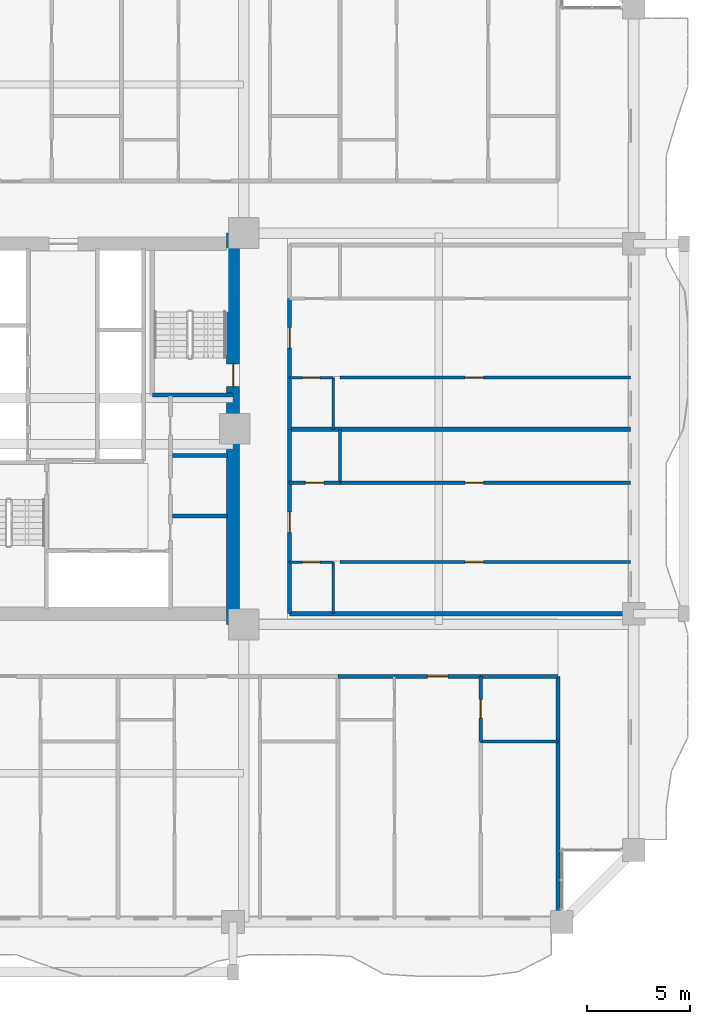
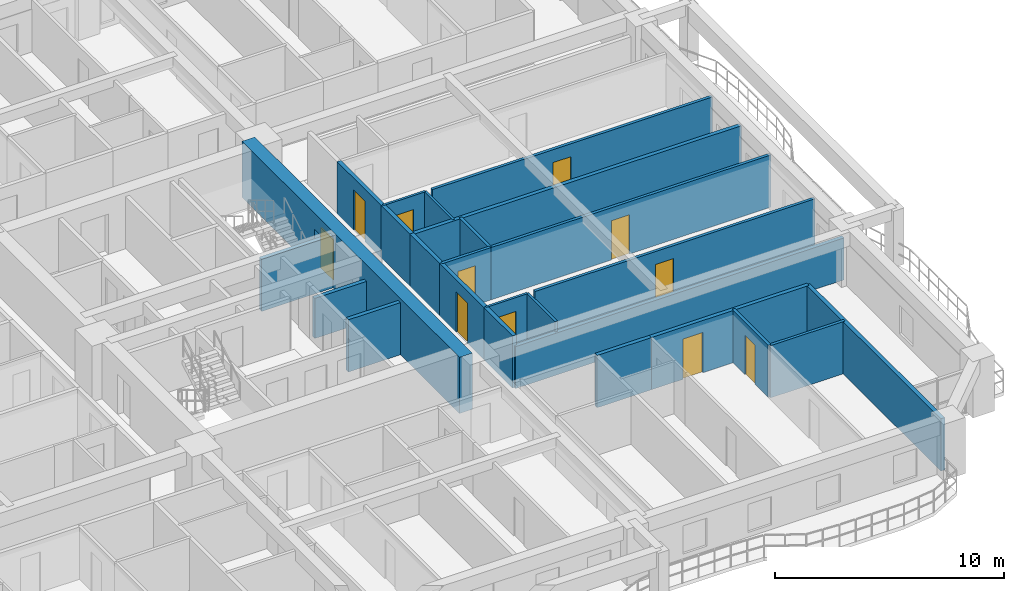
# One storey, part 17 of 27: 26 walls, 11 doors, 11 openings.
"""IFC4 building model written with IfcOpenShell, lengths in metres."""

from ifc_helpers import new_model, si_unit, direction, frame, frame_2d, origin, place, context, subcontext, project, spatial, rectangle, extrude, source, transform, mapped, material, layer, layer_set, type_object, element, fill, save


model = new_model("IFC4")

# Units and contexts
model_context = context("Model", 3, precision=1e-05, world=origin(), true_north=direction((0.0, 1.0)))
body_context = subcontext(model_context, "Body", "Model", "MODEL_VIEW")
ifc_project = project(units=[si_unit("LENGTHUNIT", "METRE"), si_unit("AREAUNIT", "SQUARE_METRE"), si_unit("VOLUMEUNIT", "CUBIC_METRE"), si_unit("PLANEANGLEUNIT", "RADIAN"), si_unit("MASSUNIT", "GRAM", prefix="KILO")], contexts=[model_context])

# Site, building, storey
site_placement = place(None, origin())
site = spatial("IfcSite", under=ifc_project, at=site_placement, CompositionType="ELEMENT")
building_placement = place(site_placement, origin())
building = spatial("IfcBuilding", under=site, at=building_placement, Name="Saelheon Loggia Tower", CompositionType="ELEMENT")
storey_placement = place(building_placement, frame((0.0, 0.0, 34.39990234375)))
storey = spatial("IfcBuildingStorey", under=building, at=storey_placement, Name="L10", CompositionType="ELEMENT", Elevation=34.39990234375)

# Wall, opening, door
ifc_material_1 = material(Name="Concrete C60/75", Category="concrete")
ifc_layer_1 = layer(ifc_material_1, 0.64990234375)
ifc_layer_set_1 = layer_set([ifc_layer_1], Name="Concrete C60/75")
wall_type_1 = type_object("IfcWallType", Name="Wall_CoreShear_650", PredefinedType="SHEAR", material=ifc_layer_set_1)
wall_1_placement = place(storey_placement, frame((44.5, 17.47998046875, 0.0), z_axis=(0.0, 0.0, 1.0), x_axis=(0.0, 1.0, 0.0)))
wall_1 = element("IfcWall", 1, at=wall_1_placement, inside=storey, type_object=wall_type_1, Name="L10 Core Shear Wall East", PredefinedType="SHEAR", context=body_context, shape_type="SweptSolid", body=[
    extrude(rectangle(XDim=19.0400390625, YDim=0.64990234375, at=frame_2d((9.52001953125, 0.0))), origin(), (0.0, 0.0, 1.0), 3.0),
])
opening_1_placement = place(wall_1_placement, frame((12.670166015625, 0.0, 0.0), z_axis=(0.0, 0.0, 1.0), x_axis=(-1.0, 0.0, 0.0)))
opening_1 = element("IfcOpeningElement", 2, at=opening_1_placement, cuts=wall_1, Name="Opening D-FD2", PredefinedType="OPENING", context=body_context, shape_type="SweptSolid", body=[
    extrude(rectangle(XDim=1.10009765625, YDim=2.14990234375, at=frame_2d((0.550048828125, 1.074951171875))), frame((0.0, 0.3369140625, 0.0), z_axis=(0.0, -1.0, 0.0), x_axis=(1.0, 0.0, 0.0)), (0.0, 0.0, 1.0), 0.673828125),
])
ifc_material_2 = material(Name="Galvanised Steel Fire Door", Category="steel")
door_type_1 = type_object("IfcDoorType", Name="Door_Fire_FD60_1100", OperationType="NOTDEFINED", PredefinedType="DOOR", material=ifc_material_2)
shared_shape_1 = source(origin(), body_context, "Body", "SweptSolid", [
    extrude(rectangle(XDim=1.10009765625, YDim=2.14990234375, at=frame_2d((0.550048828125, 1.074951171875))), frame((0.0, 0.02490234375, 0.0), z_axis=(0.0, -1.0, 0.0), x_axis=(1.0, 0.0, 0.0)), (0.0, 0.0, 1.0), 0.050048828125),
])
door_1_placement = place(opening_1_placement, origin())
door_1 = element("IfcDoor", 3, at=door_1_placement, inside=storey, type_object=door_type_1, Name="L10 Stair ST2 Corridor Door", OperationType="SINGLE_SWING_RIGHT", OverallHeight=2.14990234375, OverallWidth=1.10009765625, PredefinedType="DOOR", context=body_context, shape_type="MappedRepresentation", body=[
    mapped(shared_shape_1, transform((0.0, 0.0, 0.0), scale=1.0)),
])
fill(opening_1, door_1)

# Wall
ifc_material_3 = material(Name="Lightweight Autoclaved Aerated Concrete Block and Acoustic Gypsum", Category="concrete")
ifc_layer_2 = layer(ifc_material_3, 0.14990234375)
ifc_layer_set_2 = layer_set([ifc_layer_2], Name="Lightweight Autoclaved Aerated Concrete Block and Acoustic Gypsum")
wall_type_2 = type_object("IfcWallType", Name="Wall_Part_150", PredefinedType="PARTITIONING", material=ifc_layer_set_2)
wall_2_placement = place(storey_placement, frame((56.55419921875, 11.780029296875, 0.0), z_axis=(0.0, 0.0, 1.0), x_axis=(1.0, 0.0, 0.0)))
element("IfcWall", 4, at=wall_2_placement, inside=storey, type_object=wall_type_2, Name="L10 S Partition V42", PredefinedType="PARTITIONING", context=body_context, shape_type="SweptSolid", body=[
    extrude(rectangle(XDim=3.765869140625, YDim=0.14990234375, at=frame_2d((1.8828125, 0.0))), origin(), (0.0, 0.0, 1.0), 2.7900390625),
])

# Wall, opening, door
wall_3_placement = place(storey_placement, frame((56.55419921875, 14.949951171875, 0.0), z_axis=(0.0, 0.0, 1.0), x_axis=(0.0, -1.0, 0.0)))
wall_3 = element("IfcWall", 5, at=wall_3_placement, inside=storey, type_object=wall_type_2, Name="L10 S Partition U46", PredefinedType="PARTITIONING", context=body_context, shape_type="SweptSolid", body=[
    extrude(rectangle(XDim=3.169921875, YDim=0.14990234375, at=frame_2d((1.5849609375, 0.0))), origin(), (0.0, 0.0, 1.0), 2.7900390625),
])
opening_2_placement = place(wall_3_placement, frame((1.135009765625, 0.0, 0.0)))
opening_2 = element("IfcOpeningElement", 6, at=opening_2_placement, cuts=wall_3, Name="Opening D-IN2", PredefinedType="OPENING", context=body_context, shape_type="SweptSolid", body=[
    extrude(rectangle(XDim=0.89990234375, YDim=2.10009765625, at=frame_2d((0.449951171875, 1.050048828125))), frame((0.0, 0.0869140625, 0.0), z_axis=(0.0, -1.0, 0.0), x_axis=(1.0, 0.0, 0.0)), (0.0, 0.0, 1.0), 0.173828125),
])
ifc_material_4 = material(Name="Engineered Oak Flush Door", Category="timber")
door_type_2 = type_object("IfcDoorType", Name="Door_Int_900", OperationType="NOTDEFINED", PredefinedType="DOOR", material=ifc_material_4)
shared_shape_2 = source(origin(), body_context, "Body", "SweptSolid", [
    extrude(rectangle(XDim=0.89990234375, YDim=2.10009765625, at=frame_2d((0.449951171875, 1.050048828125))), frame((0.0, 0.02490234375, 0.0), z_axis=(0.0, -1.0, 0.0), x_axis=(1.0, 0.0, 0.0)), (0.0, 0.0, 1.0), 0.050048828125),
])
door_2_placement = place(opening_2_placement, origin())
door_2 = element("IfcDoor", 7, at=door_2_placement, inside=storey, type_object=door_type_2, Name="Unit U04 Dressing Closet Door", OperationType="SINGLE_SWING_RIGHT", OverallHeight=2.10009765625, OverallWidth=0.89990234375, PredefinedType="DOOR", context=body_context, shape_type="MappedRepresentation", body=[
    mapped(shared_shape_2, transform((0.0, 0.0, 0.0), scale=1.0)),
])
fill(opening_2, door_2)

# Wall
wall_4_placement = place(storey_placement, frame((49.699951171875, 24.375, 0.0), z_axis=(0.0, 0.0, 1.0), x_axis=(0.0, 1.0, 0.0)))
element("IfcWall", 8, at=wall_4_placement, inside=storey, type_object=wall_type_2, Name="L10 E Partition V07", PredefinedType="PARTITIONING", context=body_context, shape_type="SweptSolid", body=[
    extrude(rectangle(XDim=2.60009765625, YDim=0.14990234375, at=frame_2d((1.300048828125, 0.0))), origin(), (0.0, 0.0, 1.0), 2.7900390625),
])

# Wall, opening, door
wall_5_placement = place(storey_placement, frame((49.699951171875, 20.512939453125, 0.0), z_axis=(0.0, 0.0, 1.0), x_axis=(1.0, 0.0, 0.0)))
wall_5 = element("IfcWall", 9, at=wall_5_placement, inside=storey, type_object=wall_type_2, Name="L10 E Partition U09", PredefinedType="PARTITIONING", context=body_context, shape_type="SweptSolid", body=[
    extrude(rectangle(XDim=14.150146484375, YDim=0.14990234375, at=frame_2d((7.0751953125, 0.0))), origin(), (0.0, 0.0, 1.0), 2.7900390625),
])
opening_3_placement = place(wall_5_placement, frame((6.093017578125, 0.0, 0.0)))
opening_3 = element("IfcOpeningElement", 10, at=opening_3_placement, cuts=wall_5, Name="Opening D-IN2", PredefinedType="OPENING", context=body_context, shape_type="SweptSolid", body=[
    extrude(rectangle(XDim=0.89990234375, YDim=2.10009765625, at=frame_2d((0.449951171875, 1.050048828125))), frame((0.0, 0.0869140625, 0.0), z_axis=(0.0, -1.0, 0.0), x_axis=(1.0, 0.0, 0.0)), (0.0, 0.0, 1.0), 0.173828125),
])
door_3_placement = place(opening_3_placement, origin())
door_3 = element("IfcDoor", 11, at=door_3_placement, inside=storey, type_object=door_type_2, Name="Unit U12 Kitchen Door", OperationType="SINGLE_SWING_RIGHT", OverallHeight=2.10009765625, OverallWidth=0.89990234375, PredefinedType="DOOR", context=body_context, shape_type="MappedRepresentation", body=[
    mapped(shared_shape_2, transform((0.0, 0.0, 0.0), scale=1.0)),
])
fill(opening_3, door_3)

wall_6_placement = place(storey_placement, frame((47.25, 24.375, 0.0), z_axis=(0.0, 0.0, 1.0), x_axis=(1.0, 0.0, 0.0)))
wall_6 = element("IfcWall", 12, at=wall_6_placement, inside=storey, type_object=wall_type_2, Name="L10 E Partition U10", PredefinedType="PARTITIONING", context=body_context, shape_type="SweptSolid", body=[
    extrude(rectangle(XDim=2.449951171875, YDim=0.14990234375, at=frame_2d((1.22509765625, 0.0))), origin(), (0.0, 0.0, 1.0), 2.7900390625),
])
opening_4_placement = place(wall_6_placement, frame((0.77490234375, 0.0, 0.0)))
opening_4 = element("IfcOpeningElement", 13, at=opening_4_placement, cuts=wall_6, Name="Opening D-IN2", PredefinedType="OPENING", context=body_context, shape_type="SweptSolid", body=[
    extrude(rectangle(XDim=0.89990234375, YDim=2.10009765625, at=frame_2d((0.449951171875, 1.050048828125))), frame((0.0, 0.0869140625, 0.0), z_axis=(0.0, -1.0, 0.0), x_axis=(1.0, 0.0, 0.0)), (0.0, 0.0, 1.0), 0.173828125),
])
door_4_placement = place(opening_4_placement, origin())
door_4 = element("IfcDoor", 14, at=door_4_placement, inside=storey, type_object=door_type_2, Name="Unit U12 Dressing Closet Door", OperationType="SINGLE_SWING_LEFT", OverallHeight=2.10009765625, OverallWidth=0.89990234375, PredefinedType="DOOR", context=body_context, shape_type="MappedRepresentation", body=[
    mapped(shared_shape_2, transform((0.0, 0.0, 0.0), scale=1.0)),
])
fill(opening_4, door_4)

wall_7_placement = place(storey_placement, frame((49.699951171875, 24.375, 0.0), z_axis=(0.0, 0.0, 1.0), x_axis=(1.0, 0.0, 0.0)))
wall_7 = element("IfcWall", 15, at=wall_7_placement, inside=storey, type_object=wall_type_2, Name="L10 E Partition U11", PredefinedType="PARTITIONING", context=body_context, shape_type="SweptSolid", body=[
    extrude(rectangle(XDim=14.150146484375, YDim=0.14990234375, at=frame_2d((7.0751953125, 0.0))), origin(), (0.0, 0.0, 1.0), 2.7900390625),
])
opening_5_placement = place(wall_7_placement, frame((6.093017578125, 0.0, 0.0)))
opening_5 = element("IfcOpeningElement", 16, at=opening_5_placement, cuts=wall_7, Name="Opening D-IN2", PredefinedType="OPENING", context=body_context, shape_type="SweptSolid", body=[
    extrude(rectangle(XDim=0.89990234375, YDim=2.10009765625, at=frame_2d((0.449951171875, 1.050048828125))), frame((0.0, 0.0869140625, 0.0), z_axis=(0.0, -1.0, 0.0), x_axis=(1.0, 0.0, 0.0)), (0.0, 0.0, 1.0), 0.173828125),
])
door_5_placement = place(opening_5_placement, origin())
door_5 = element("IfcDoor", 17, at=door_5_placement, inside=storey, type_object=door_type_2, Name="Unit U12 Bedroom 1 Door", OperationType="SINGLE_SWING_RIGHT", OverallHeight=2.10009765625, OverallWidth=0.89990234375, PredefinedType="DOOR", context=body_context, shape_type="MappedRepresentation", body=[
    mapped(shared_shape_2, transform((0.0, 0.0, 0.0), scale=1.0)),
])
fill(opening_5, door_5)

wall_8_placement = place(storey_placement, frame((49.699951171875, 29.488037109375, 0.0), z_axis=(0.0, 0.0, 1.0), x_axis=(1.0, 0.0, 0.0)))
wall_8 = element("IfcWall", 18, at=wall_8_placement, inside=storey, type_object=wall_type_2, Name="L10 E Partition U19", PredefinedType="PARTITIONING", context=body_context, shape_type="SweptSolid", body=[
    extrude(rectangle(XDim=14.150146484375, YDim=0.14990234375, at=frame_2d((7.0751953125, 0.0))), origin(), (0.0, 0.0, 1.0), 2.7900390625),
])
opening_6_placement = place(wall_8_placement, frame((6.093017578125, 0.0, 0.0)))
opening_6 = element("IfcOpeningElement", 19, at=opening_6_placement, cuts=wall_8, Name="Opening D-IN2", PredefinedType="OPENING", context=body_context, shape_type="SweptSolid", body=[
    extrude(rectangle(XDim=0.89990234375, YDim=2.10009765625, at=frame_2d((0.449951171875, 1.050048828125))), frame((0.0, 0.0869140625, 0.0), z_axis=(0.0, -1.0, 0.0), x_axis=(1.0, 0.0, 0.0)), (0.0, 0.0, 1.0), 0.173828125),
])
door_6_placement = place(opening_6_placement, origin())
door_6 = element("IfcDoor", 20, at=door_6_placement, inside=storey, type_object=door_type_2, Name="Unit U13 Kitchen Door", OperationType="SINGLE_SWING_LEFT", OverallHeight=2.10009765625, OverallWidth=0.89990234375, PredefinedType="DOOR", context=body_context, shape_type="MappedRepresentation", body=[
    mapped(shared_shape_2, transform((0.0, 0.0, 0.0), scale=1.0)),
])
fill(opening_6, door_6)

# Walls
ifc_material_5 = material(Name="Double Acoustic Stud and Fireboard Partition", Category="gypsum")
ifc_layer_3 = layer(ifc_material_5, 0.199951171875)
ifc_layer_set_3 = layer_set([ifc_layer_3], Name="Double Acoustic Stud and Fireboard Partition")
wall_type_3 = type_object("IfcWallType", Name="Wall_Party_200", PredefinedType="PARTITIONING", material=ifc_layer_set_3)
wall_9_placement = place(storey_placement, frame((60.320068359375, 14.949951171875, 0.0), z_axis=(0.0, 0.0, 1.0), x_axis=(0.0, -1.0, 0.0)))
element("IfcWall", 21, at=wall_9_placement, inside=storey, type_object=wall_type_3, Name="L10 S Partition U02", PredefinedType="PARTITIONING", context=body_context, shape_type="SweptSolid", body=[
    extrude(rectangle(XDim=11.800048828125, YDim=0.199951171875, at=frame_2d((5.89990234375, 0.0))), origin(), (0.0, 0.0, 1.0), 2.7900390625),
])
wall_10_placement = place(storey_placement, frame((49.6064453125, 14.949951171875, 0.0), z_axis=(0.0, 0.0, 1.0), x_axis=(1.0, 0.0, 0.0)))
element("IfcWall", 22, at=wall_10_placement, inside=storey, type_object=wall_type_3, Name="L10 S Partition V38", PredefinedType="PARTITIONING", context=body_context, shape_type="SweptSolid", body=[
    extrude(rectangle(XDim=2.75, YDim=0.199951171875, at=frame_2d((1.375, 0.0))), origin(), (0.0, 0.0, 1.0), 2.7900390625),
])

# Wall, opening, door
wall_11_placement = place(storey_placement, frame((52.3564453125, 14.949951171875, 0.0), z_axis=(0.0, 0.0, 1.0), x_axis=(1.0, 0.0, 0.0)))
wall_11 = element("IfcWall", 23, at=wall_11_placement, inside=storey, type_object=wall_type_3, Name="L10 S Partition V39", PredefinedType="PARTITIONING", context=body_context, shape_type="SweptSolid", body=[
    extrude(rectangle(XDim=4.19775390625, YDim=0.199951171875, at=frame_2d((2.098876953125, 0.0))), origin(), (0.0, 0.0, 1.0), 2.7900390625),
])
opening_7_placement = place(wall_11_placement, frame((1.598876953125, 0.0, 0.0)))
opening_7 = element("IfcOpeningElement", 24, at=opening_7_placement, cuts=wall_11, Name="Opening D-FD1", PredefinedType="OPENING", context=body_context, shape_type="SweptSolid", body=[
    extrude(rectangle(XDim=1.0, YDim=2.14990234375, at=frame_2d((0.5, 1.074951171875))), frame((0.0, 0.112060546875, 0.0), z_axis=(0.0, -1.0, 0.0), x_axis=(1.0, 0.0, 0.0)), (0.0, 0.0, 1.0), 0.223876953125),
])
ifc_material_6 = material(Name="Fire-Rated Engineered Timber Entrance Door", Category="wood")
door_type_3 = type_object("IfcDoorType", Name="Door_Flat_FD30S", OperationType="NOTDEFINED", PredefinedType="DOOR", material=ifc_material_6)
shared_shape_3 = source(origin(), body_context, "Body", "SweptSolid", [
    extrude(rectangle(XDim=1.0, YDim=2.14990234375, at=frame_2d((0.5, 1.074951171875))), frame((0.0, 0.02490234375, 0.0), z_axis=(0.0, -1.0, 0.0), x_axis=(1.0, 0.0, 0.0)), (0.0, 0.0, 1.0), 0.050048828125),
])
door_7_placement = place(opening_7_placement, origin())
door_7 = element("IfcDoor", 25, at=door_7_placement, inside=storey, type_object=door_type_3, Name="Unit U04 Entrance Door", OperationType="SINGLE_SWING_LEFT", OverallHeight=2.14990234375, OverallWidth=1.0, PredefinedType="DOOR", context=body_context, shape_type="MappedRepresentation", body=[
    mapped(shared_shape_3, transform((0.0, 0.0, 0.0), scale=1.0)),
])
fill(opening_7, door_7)

# Walls
wall_12_placement = place(storey_placement, frame((56.55419921875, 14.949951171875, 0.0), z_axis=(0.0, 0.0, 1.0), x_axis=(1.0, 0.0, 0.0)))
element("IfcWall", 26, at=wall_12_placement, inside=storey, type_object=wall_type_3, Name="L10 S Partition V40", PredefinedType="PARTITIONING", context=body_context, shape_type="SweptSolid", body=[
    extrude(rectangle(XDim=3.765869140625, YDim=0.199951171875, at=frame_2d((1.8828125, 0.0))), origin(), (0.0, 0.0, 1.0), 2.7900390625),
])
wall_13_placement = place(storey_placement, frame((47.25, 18.0, 0.0), z_axis=(0.0, 0.0, 1.0), x_axis=(1.0, 0.0, 0.0)))
element("IfcWall", 27, at=wall_13_placement, inside=storey, type_object=wall_type_3, Name="L10 E Partition U01", PredefinedType="PARTITIONING", context=body_context, shape_type="SweptSolid", body=[
    extrude(rectangle(XDim=16.60009765625, YDim=0.199951171875, at=frame_2d((8.300048828125, 0.0))), origin(), (0.0, 0.0, 1.0), 2.239990234375),
])
wall_14_placement = place(storey_placement, frame((47.25, 18.0, 0.0), z_axis=(0.0, 0.0, 1.0), x_axis=(0.0, 1.0, 0.0)))
element("IfcWall", 28, at=wall_14_placement, inside=storey, type_object=wall_type_3, Name="L10 E Partition V03", PredefinedType="PARTITIONING", context=body_context, shape_type="SweptSolid", body=[
    extrude(rectangle(XDim=2.512939453125, YDim=0.199951171875, at=frame_2d((1.25634765625, 0.0))), origin(), (0.0, 0.0, 1.0), 2.7900390625),
])

# Wall, opening, door
wall_15_placement = place(storey_placement, frame((47.25, 20.512939453125, 0.0), z_axis=(0.0, 0.0, 1.0), x_axis=(0.0, 1.0, 0.0)))
wall_15 = element("IfcWall", 29, at=wall_15_placement, inside=storey, type_object=wall_type_3, Name="L10 E Partition V04", PredefinedType="PARTITIONING", context=body_context, shape_type="SweptSolid", body=[
    extrude(rectangle(XDim=3.862060546875, YDim=0.199951171875, at=frame_2d((1.93115234375, 0.0))), origin(), (0.0, 0.0, 1.0), 2.7900390625),
])
opening_8_placement = place(wall_15_placement, frame((1.430908203125, 0.0, 0.0)))
opening_8 = element("IfcOpeningElement", 30, at=opening_8_placement, cuts=wall_15, Name="Opening D-FD1", PredefinedType="OPENING", context=body_context, shape_type="SweptSolid", body=[
    extrude(rectangle(XDim=1.0, YDim=2.14990234375, at=frame_2d((0.5, 1.074951171875))), frame((0.0, 0.112060546875, 0.0), z_axis=(0.0, -1.0, 0.0), x_axis=(1.0, 0.0, 0.0)), (0.0, 0.0, 1.0), 0.223876953125),
])
door_8_placement = place(opening_8_placement, origin())
door_8 = element("IfcDoor", 31, at=door_8_placement, inside=storey, type_object=door_type_3, Name="Unit U12 Entrance Door", OperationType="SINGLE_SWING_RIGHT", OverallHeight=2.14990234375, OverallWidth=1.0, PredefinedType="DOOR", context=body_context, shape_type="MappedRepresentation", body=[
    mapped(shared_shape_3, transform((0.0, 0.0, 0.0), scale=1.0)),
])
fill(opening_8, door_8)

# Walls
wall_16_placement = place(storey_placement, frame((47.25, 24.375, 0.0), z_axis=(0.0, 0.0, 1.0), x_axis=(0.0, 1.0, 0.0)))
element("IfcWall", 32, at=wall_16_placement, inside=storey, type_object=wall_type_3, Name="L10 E Partition V05", PredefinedType="PARTITIONING", context=body_context, shape_type="SweptSolid", body=[
    extrude(rectangle(XDim=2.60009765625, YDim=0.199951171875, at=frame_2d((1.300048828125, 0.0))), origin(), (0.0, 0.0, 1.0), 2.7900390625),
])
wall_17_placement = place(storey_placement, frame((47.25, 26.97509765625, 0.0), z_axis=(0.0, 0.0, 1.0), x_axis=(1.0, 0.0, 0.0)))
element("IfcWall", 33, at=wall_17_placement, inside=storey, type_object=wall_type_3, Name="L10 E Partition U12", PredefinedType="PARTITIONING", context=body_context, shape_type="SweptSolid", body=[
    extrude(rectangle(XDim=16.60009765625, YDim=0.199951171875, at=frame_2d((8.300048828125, 0.0))), origin(), (0.0, 0.0, 1.0), 2.7900390625),
])
wall_18_placement = place(storey_placement, frame((47.25, 26.97509765625, 0.0), z_axis=(0.0, 0.0, 1.0), x_axis=(0.0, 1.0, 0.0)))
element("IfcWall", 34, at=wall_18_placement, inside=storey, type_object=wall_type_3, Name="L10 E Partition V13", PredefinedType="PARTITIONING", context=body_context, shape_type="SweptSolid", body=[
    extrude(rectangle(XDim=2.512939453125, YDim=0.199951171875, at=frame_2d((1.25634765625, 0.0))), origin(), (0.0, 0.0, 1.0), 2.7900390625),
])

# Wall, opening, door
wall_19_placement = place(storey_placement, frame((47.25, 29.488037109375, 0.0), z_axis=(0.0, 0.0, 1.0), x_axis=(0.0, 1.0, 0.0)))
wall_19 = element("IfcWall", 35, at=wall_19_placement, inside=storey, type_object=wall_type_3, Name="L10 E Partition V14", PredefinedType="PARTITIONING", context=body_context, shape_type="SweptSolid", body=[
    extrude(rectangle(XDim=3.862060546875, YDim=0.199951171875, at=frame_2d((1.93115234375, 0.0))), origin(), (0.0, 0.0, 1.0), 2.7900390625),
])
opening_9_placement = place(wall_19_placement, frame((1.430908203125, 0.0, 0.0)))
opening_9 = element("IfcOpeningElement", 36, at=opening_9_placement, cuts=wall_19, Name="Opening D-FD1", PredefinedType="OPENING", context=body_context, shape_type="SweptSolid", body=[
    extrude(rectangle(XDim=1.0, YDim=2.14990234375, at=frame_2d((0.5, 1.074951171875))), frame((0.0, 0.112060546875, 0.0), z_axis=(0.0, -1.0, 0.0), x_axis=(1.0, 0.0, 0.0)), (0.0, 0.0, 1.0), 0.223876953125),
])
door_9_placement = place(opening_9_placement, origin())
door_9 = element("IfcDoor", 37, at=door_9_placement, inside=storey, type_object=door_type_3, Name="Unit U13 Entrance Door", OperationType="SINGLE_SWING_LEFT", OverallHeight=2.14990234375, OverallWidth=1.0, PredefinedType="DOOR", context=body_context, shape_type="MappedRepresentation", body=[
    mapped(shared_shape_3, transform((0.0, 0.0, 0.0), scale=1.0)),
])
fill(opening_9, door_9)

# Walls
ifc_material_7 = material(Name="Concrete C40/50", Category="concrete")
ifc_layer_4 = layer(ifc_material_7, 0.199951171875)
ifc_layer_set_4 = layer_set([ifc_layer_4], Name="Concrete C40/50")
wall_type_4 = type_object("IfcWallType", Name="Wall_Shaft_200", PredefinedType="PARTITIONING", material=ifc_layer_set_4)
wall_20_placement = place(storey_placement, frame((41.550048828125, 22.75, 0.0), z_axis=(0.0, 0.0, 1.0), x_axis=(1.0, 0.0, 0.0)))
element("IfcWall", 38, at=wall_20_placement, inside=storey, type_object=wall_type_4, Name="CW-BOH-L10-H1", PredefinedType="PARTITIONING", context=body_context, shape_type="SweptSolid", body=[
    extrude(rectangle(XDim=2.669921875, YDim=0.199951171875, at=frame_2d((1.3349609375, 0.0))), origin(), (0.0, 0.0, 1.0), 2.7900390625),
])
wall_21_placement = place(storey_placement, frame((41.550048828125, 25.699951171875, 0.0), z_axis=(0.0, 0.0, 1.0), x_axis=(1.0, 0.0, 0.0)))
element("IfcWall", 39, at=wall_21_placement, inside=storey, type_object=wall_type_4, Name="CW-BOH-L10-H2", PredefinedType="PARTITIONING", context=body_context, shape_type="SweptSolid", body=[
    extrude(rectangle(XDim=2.669921875, YDim=0.199951171875, at=frame_2d((1.3349609375, 0.0))), origin(), (0.0, 0.0, 1.0), 2.14013671875),
])
ifc_material_8 = material(Name="Concrete C45/55", Category="concrete")
ifc_layer_5 = layer(ifc_material_8, 0.199951171875)
ifc_layer_set_5 = layer_set([ifc_layer_5], Name="Concrete C45/55")
wall_type_5 = type_object("IfcWallType", Name="Wall_StairShaft_RC200", PredefinedType="SOLIDWALL", material=ifc_layer_set_5)
wall_22_placement = place(storey_placement, frame((40.570068359375, 28.64990234375, 0.0), z_axis=(0.0, 0.0, 1.0), x_axis=(1.0, 0.0, 0.0)))
element("IfcWall", 40, at=wall_22_placement, inside=storey, type_object=wall_type_5, Name="L10 Stair ST2 South Wall", PredefinedType="SOLIDWALL", context=body_context, shape_type="SweptSolid", body=[
    extrude(rectangle(XDim=3.929931640625, YDim=0.199951171875, at=frame_2d((1.96484375, 0.0))), origin(), (0.0, 0.0, 1.0), 2.7900390625),
])
ifc_material_9 = material(Name="Moisture-Resistant Cement Board Partition", Category="gypsum")
ifc_layer_6 = layer(ifc_material_9, 0.1201171875)
ifc_layer_set_6 = layer_set([ifc_layer_6], Name="Moisture-Resistant Cement Board Partition")
wall_type_6 = type_object("IfcWallType", Name="Wall_WetPart_120", PredefinedType="PARTITIONING", material=ifc_layer_set_6)
wall_23_placement = place(storey_placement, frame((49.3701171875, 18.0, 0.0), z_axis=(0.0, 0.0, 1.0), x_axis=(0.0, 1.0, 0.0)))
element("IfcWall", 41, at=wall_23_placement, inside=storey, type_object=wall_type_6, Name="L10 E Partition V06", PredefinedType="PARTITIONING", context=body_context, shape_type="SweptSolid", body=[
    extrude(rectangle(XDim=2.512939453125, YDim=0.1201171875, at=frame_2d((1.25634765625, 0.0))), origin(), (0.0, 0.0, 1.0), 2.7900390625),
])

# Wall, opening, door
wall_24_placement = place(storey_placement, frame((47.25, 20.512939453125, 0.0), z_axis=(0.0, 0.0, 1.0), x_axis=(1.0, 0.0, 0.0)))
wall_24 = element("IfcWall", 42, at=wall_24_placement, inside=storey, type_object=wall_type_6, Name="L10 E Partition U08", PredefinedType="PARTITIONING", context=body_context, shape_type="SweptSolid", body=[
    extrude(rectangle(XDim=2.1201171875, YDim=0.1201171875, at=frame_2d((1.06005859375, 0.0))), origin(), (0.0, 0.0, 1.0), 2.7900390625),
])
opening_10_placement = place(wall_24_placement, frame((0.635009765625, 0.0, 0.0)))
opening_10 = element("IfcOpeningElement", 43, at=opening_10_placement, cuts=wall_24, Name="Opening D-BT1", PredefinedType="OPENING", context=body_context, shape_type="SweptSolid", body=[
    extrude(rectangle(XDim=0.85009765625, YDim=2.050048828125, at=frame_2d((0.425048828125, 1.02490234375))), frame((0.0, 0.072021484375, 0.0), z_axis=(0.0, -1.0, 0.0), x_axis=(1.0, 0.0, 0.0)), (0.0, 0.0, 1.0), 0.14404296875),
])
ifc_material_10 = material(Name="Moisture-Resistant Laminate Timber Door", Category="wood")
door_type_4 = type_object("IfcDoorType", Name="Door_Bath_850", OperationType="NOTDEFINED", PredefinedType="DOOR", material=ifc_material_10)
shared_shape_4 = source(origin(), body_context, "Body", "SweptSolid", [
    extrude(rectangle(XDim=0.85009765625, YDim=2.050048828125, at=frame_2d((0.425048828125, 1.02490234375))), frame((0.0, 0.02490234375, 0.0), z_axis=(0.0, -1.0, 0.0), x_axis=(1.0, 0.0, 0.0)), (0.0, 0.0, 1.0), 0.050048828125),
])
door_10_placement = place(opening_10_placement, origin())
door_10 = element("IfcDoor", 44, at=door_10_placement, inside=storey, type_object=door_type_4, Name="Unit U12 Bathroom Door", OperationType="SINGLE_SWING_LEFT", OverallHeight=2.050048828125, OverallWidth=0.85009765625, PredefinedType="DOOR", context=body_context, shape_type="MappedRepresentation", body=[
    mapped(shared_shape_4, transform((0.0, 0.0, 0.0), scale=1.0)),
])
fill(opening_10, door_10)

# Wall
wall_25_placement = place(storey_placement, frame((49.3701171875, 26.97509765625, 0.0), z_axis=(0.0, 0.0, 1.0), x_axis=(0.0, 1.0, 0.0)))
element("IfcWall", 45, at=wall_25_placement, inside=storey, type_object=wall_type_6, Name="L10 E Partition V16", PredefinedType="PARTITIONING", context=body_context, shape_type="SweptSolid", body=[
    extrude(rectangle(XDim=2.512939453125, YDim=0.1201171875, at=frame_2d((1.25634765625, 0.0))), origin(), (0.0, 0.0, 1.0), 2.7900390625),
])

# Wall, opening, door
wall_26_placement = place(storey_placement, frame((47.25, 29.488037109375, 0.0), z_axis=(0.0, 0.0, 1.0), x_axis=(1.0, 0.0, 0.0)))
wall_26 = element("IfcWall", 46, at=wall_26_placement, inside=storey, type_object=wall_type_6, Name="L10 E Partition U18", PredefinedType="PARTITIONING", context=body_context, shape_type="SweptSolid", body=[
    extrude(rectangle(XDim=2.1201171875, YDim=0.1201171875, at=frame_2d((1.06005859375, 0.0))), origin(), (0.0, 0.0, 1.0), 2.7900390625),
])
opening_11_placement = place(wall_26_placement, frame((0.635009765625, 0.0, 0.0)))
opening_11 = element("IfcOpeningElement", 47, at=opening_11_placement, cuts=wall_26, Name="Opening D-BT1", PredefinedType="OPENING", context=body_context, shape_type="SweptSolid", body=[
    extrude(rectangle(XDim=0.85009765625, YDim=2.050048828125, at=frame_2d((0.425048828125, 1.02490234375))), frame((0.0, 0.072021484375, 0.0), z_axis=(0.0, -1.0, 0.0), x_axis=(1.0, 0.0, 0.0)), (0.0, 0.0, 1.0), 0.14404296875),
])
door_11_placement = place(opening_11_placement, origin())
door_11 = element("IfcDoor", 48, at=door_11_placement, inside=storey, type_object=door_type_4, Name="Unit U13 Bathroom Door", OperationType="SINGLE_SWING_RIGHT", OverallHeight=2.050048828125, OverallWidth=0.85009765625, PredefinedType="DOOR", context=body_context, shape_type="MappedRepresentation", body=[
    mapped(shared_shape_4, transform((0.0, 0.0, 0.0), scale=1.0)),
])
fill(opening_11, door_11)

save(model, "model.ifc")
